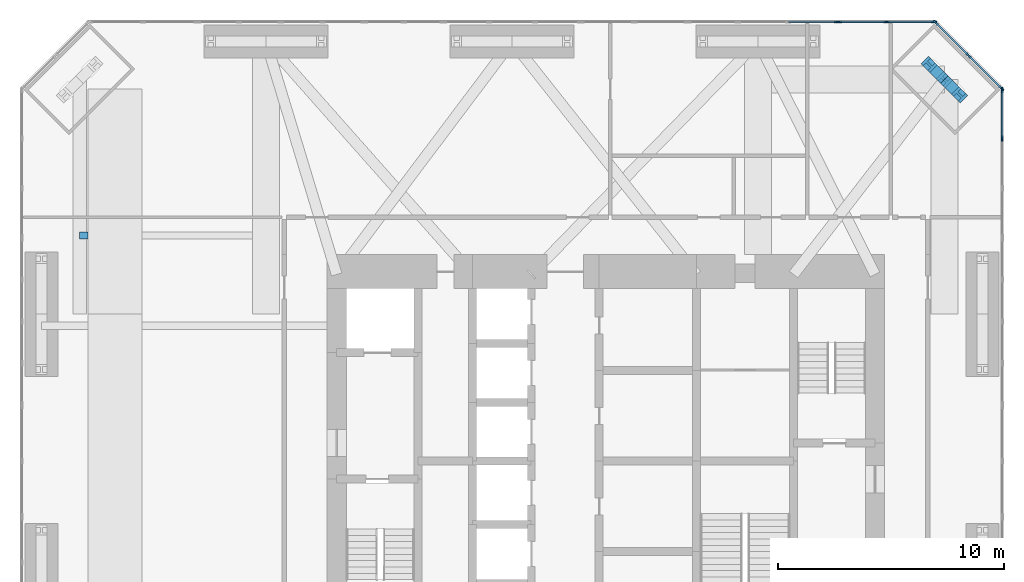
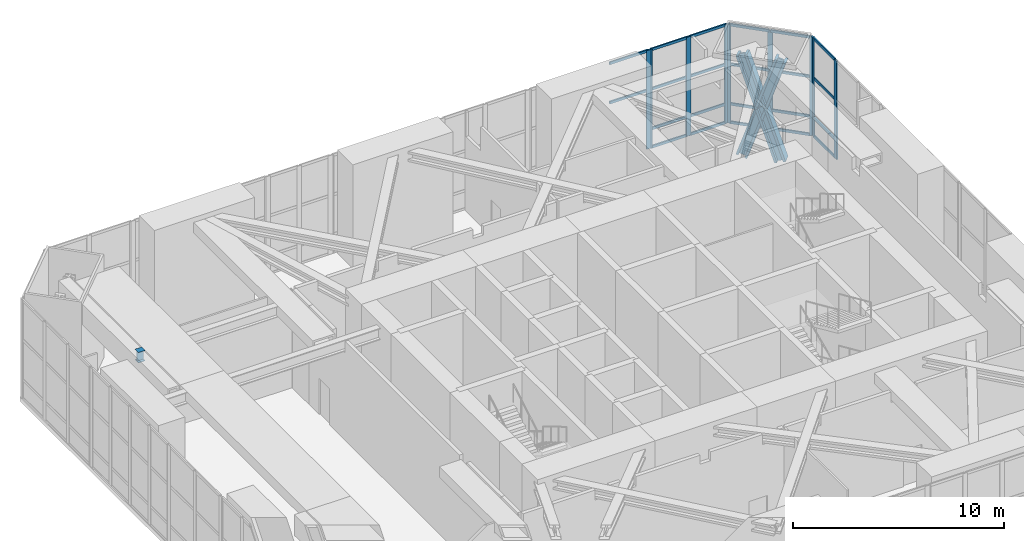
# One storey, part 9 of 18: 35 members, 1 beam, 4 elements without a shape of their own.
"""IFC4 building model written with IfcOpenShell, lengths in metres."""

from ifc_helpers import new_model, si_unit, direction, frame, origin, origin_2d, place, context, subcontext, project, spatial, rectangle, i_section, extrude, material, material_profile, profile_set, type_object, element, aggregate, save


model = new_model("IFC4")

# Units and contexts
model_context = context("Model", 3, precision=1e-05, world=origin(), true_north=direction((0.0, 1.0)))
body_context = subcontext(model_context, "Body", "Model", "MODEL_VIEW")
ifc_project = project(units=[si_unit("LENGTHUNIT", "METRE"), si_unit("AREAUNIT", "SQUARE_METRE"), si_unit("VOLUMEUNIT", "CUBIC_METRE"), si_unit("PLANEANGLEUNIT", "RADIAN"), si_unit("MASSUNIT", "GRAM", prefix="KILO")], contexts=[model_context])

# Site, building, storey
site_placement = place(None, origin())
site = spatial("IfcSite", under=ifc_project, at=site_placement, CompositionType="ELEMENT")
building_placement = place(site_placement, origin())
building = spatial("IfcBuilding", under=site, at=building_placement, Name="Jalousie Tower", CompositionType="ELEMENT")
storey_placement = place(building_placement, frame((0.0, 0.0, 138.35009765625)))
storey = spatial("IfcBuildingStorey", under=building, at=storey_placement, Name="L38", CompositionType="ELEMENT", Elevation=138.35009765625)

# Members
ifc_material_1 = material(Name="Steel ASTM A992 Grade 50", Category="steel")
ifc_material_profile_1 = material_profile(ifc_material_1, i_section(OverallWidth=0.472412109375, OverallDepth=0.5791015625, WebThickness=0.094970703125, FlangeThickness=0.1298828125, at=origin_2d()), Name="W14X808")
ifc_profile_set_1 = profile_set([ifc_material_profile_1], Name="Steel ASTM A992 Grade 50")
member_type_1 = type_object("IfcMemberType", Name="PERIMETER BRACE W14X808", PredefinedType="BRACE", material=ifc_profile_set_1)
for number, where, z_axis, x_axis, name in (
    (1, (47.540283203125, 34.697021484375, -0.60009765625), (-0.218388113995, 0.218388113995, 0.951111593522), (-0.707106781187, -0.707106781187, 0.0), "Perimeter brace 08 L38 part 1"),
    (2, (46.86865234375, 35.36865234375, 2.324951171875), (-0.218388113995, 0.218388113995, 0.951111593522), (-0.707106781187, -0.707106781187, 0.0), "Perimeter brace 08 L38 part 2"),
    (3, (46.197021484375, 36.040283203125, -0.60009765625), (0.218388113995, -0.218388113995, 0.951111593522), (0.707106781187, 0.707106781187, 0.0), "Perimeter brace 08 L38 part 3"),
    (4, (46.86865234375, 35.36865234375, 2.324951171875), (0.218388113995, -0.218388113995, 0.951111593522), (0.707106781187, 0.707106781187, 0.0), "Perimeter brace 08 L38 part 4"),
):
    element("IfcMember", number, at=place(storey_placement, frame(where, z_axis=z_axis, x_axis=x_axis)), inside=storey, type_object=member_type_1, Name=name, PredefinedType="BRACE", context=body_context, shape_type="SweptSolid", body=[
        extrude(i_section(OverallWidth=0.472412109375, OverallDepth=0.5791015625, WebThickness=0.094970703125, FlangeThickness=0.1298828125, at=origin_2d()), origin(), (0.0, 0.0, 1.0), 3.075439453125),
    ])

# Beam
ifc_material_2 = material(Name="Steel ASTM A992 Grade 50", Category="steel")
ifc_material_profile_2 = material_profile(ifc_material_2, i_section(OverallWidth=0.3251953125, OverallDepth=0.612060546875, WebThickness=0.0126953125, FlangeThickness=0.01904296875, at=origin_2d()), Name="W24X104")
ifc_profile_set_2 = profile_set([ifc_material_profile_2], Name="Steel ASTM A992 Grade 50")
beam_type = type_object("IfcBeamType", Name="PLANT FLOOR BEAM W24X104", PredefinedType="BEAM", material=ifc_profile_set_2)
beam_placement = place(storey_placement, frame((8.63134765625, 28.47509765625, 5.413818359375), z_axis=(1.0, 0.0, 0.0), x_axis=(0.0, 1.0, 0.0)))
element("IfcBeam", 5, at=beam_placement, inside=storey, type_object=beam_type, Name="Plant floor beam under Electrical plant room L39", PredefinedType="BEAM", context=body_context, shape_type="SweptSolid", body=[
    extrude(i_section(OverallWidth=0.3251953125, OverallDepth=0.612060546875, WebThickness=0.0126953125, FlangeThickness=0.01904296875, at=origin_2d()), origin(), (0.0, 0.0, 1.0), 0.36865234375),
])

# Curtain wall, members
ifc_material_3 = material(Name="Aluminium curtain wall", Category="aluminium")
curtain_wall_type_1 = type_object("IfcCurtainWallType", Name="SKY LOUNGE SPANDREL WALL", PredefinedType="USERDEFINED", material=ifc_material_3)
curtain_wall_1_placement = place(storey_placement, origin())
curtain_wall_1 = element("IfcCurtainWall", 6, at=curtain_wall_1_placement, inside=storey, type_object=curtain_wall_type_1, Name="Sky Lounge Spandrel Wall L38 4", ObjectType="SKY LOUNGE SPANDREL WALL", PredefinedType="USERDEFINED")
ifc_material_4 = material(Name="Aluminium mullion", Category="aluminium")
ifc_material_profile_3 = material_profile(ifc_material_4, rectangle(XDim=0.074951171875, YDim=0.25, at=origin_2d()), Name="MULLION 75x250")
ifc_profile_set_3 = profile_set([ifc_material_profile_3], Name="Aluminium mullion")
member_type_2 = type_object("IfcMemberType", Name="SKY LOUNGE SPANDREL WALL MULLION", PredefinedType="MULLION", material=ifc_profile_set_3)
member_1_placement = place(storey_placement, frame((49.385986328125, 34.97509765625, 0.0), z_axis=(0.0, 0.0, 1.0), x_axis=(-0.707106781187, -0.707106781187, 0.0)))
member_1 = element("IfcMember", 7, at=member_1_placement, type_object=member_type_2, Name="CW-KS mullion 1", PredefinedType="MULLION", context=body_context, shape_type="SweptSolid", body=[
    extrude(rectangle(XDim=0.074951171875, YDim=0.25, at=origin_2d()), origin(), (0.0, 0.0, 1.0), 5.719970703125),
])
member_2_placement = place(storey_placement, frame((47.9306640625, 36.4306640625, 0.0), z_axis=(0.0, 0.0, 1.0), x_axis=(-0.707106781187, -0.707106781187, 0.0)))
member_2 = element("IfcMember", 8, at=member_2_placement, type_object=member_type_2, Name="CW-KS mullion 2", PredefinedType="MULLION", context=body_context, shape_type="SweptSolid", body=[
    extrude(rectangle(XDim=0.074951171875, YDim=0.25, at=origin_2d()), origin(), (0.0, 0.0, 1.0), 5.719970703125),
])
member_3_placement = place(storey_placement, frame((46.47509765625, 37.885986328125, 0.0), z_axis=(0.0, 0.0, 1.0), x_axis=(-0.707106781187, -0.707106781187, 0.0)))
member_3 = element("IfcMember", 9, at=member_3_placement, type_object=member_type_2, Name="CW-KS mullion 3", PredefinedType="MULLION", context=body_context, shape_type="SweptSolid", body=[
    extrude(rectangle(XDim=0.074951171875, YDim=0.25, at=origin_2d()), origin(), (0.0, 0.0, 1.0), 5.719970703125),
])

# Curtain wall, member
curtain_wall_2_placement = place(storey_placement, origin())
curtain_wall_2 = element("IfcCurtainWall", 10, at=curtain_wall_2_placement, inside=storey, type_object=curtain_wall_type_1, Name="Sky Lounge Spandrel Wall L38 42", ObjectType="SKY LOUNGE SPANDREL WALL", PredefinedType="USERDEFINED")
member_4_placement = place(storey_placement, frame((42.12255859375, 37.91259765625, 0.0), z_axis=(0.0, 0.0, 1.0), x_axis=(0.0, -1.0, 0.0)))
member_4 = element("IfcMember", 11, at=member_4_placement, type_object=member_type_2, Name="CW-KS mullion 1", PredefinedType="MULLION", context=body_context, shape_type="SweptSolid", body=[
    extrude(rectangle(XDim=0.074951171875, YDim=0.25, at=origin_2d()), origin(), (0.0, 0.0, 1.0), 5.719970703125),
])

# Member
ifc_material_5 = material(Name="Aluminium transom", Category="aluminium")
ifc_material_profile_4 = material_profile(ifc_material_5, rectangle(XDim=0.074951171875, YDim=0.14990234375, at=origin_2d()), Name="TRANSOM 75x150")
ifc_profile_set_4 = profile_set([ifc_material_profile_4], Name="Aluminium transom")
member_type_3 = type_object("IfcMemberType", Name="SKY LOUNGE SPANDREL WALL TRANSOM", PredefinedType="USERDEFINED", material=ifc_profile_set_4)
member_5_placement = place(storey_placement, frame((49.359375, 35.001708984375, 0.037353515625), z_axis=(-0.707106781187, 0.707106781187, 0.0), x_axis=(-0.707106781187, -0.707106781187, 0.0)))
member_5 = element("IfcMember", 12, at=member_5_placement, type_object=member_type_3, Name="CW-KS transom 1.1", ObjectType="TRANSOM", PredefinedType="USERDEFINED", context=body_context, shape_type="SweptSolid", body=[
    extrude(rectangle(XDim=0.074951171875, YDim=0.14990234375, at=origin_2d()), origin(), (0.0, 0.0, 1.0), 1.983154296875),
])

member_6_placement = place(storey_placement, frame((49.359375, 35.001708984375, 1.099853515625), z_axis=(-0.707106781187, 0.707106781187, 0.0), x_axis=(-0.707106781187, -0.707106781187, 0.0)))
member_6 = element("IfcMember", 13, at=member_6_placement, type_object=member_type_3, Name="CW-KS transom 1.2", ObjectType="TRANSOM", PredefinedType="USERDEFINED", context=body_context, shape_type="SweptSolid", body=[
    extrude(rectangle(XDim=0.074951171875, YDim=0.14990234375, at=origin_2d()), origin(), (0.0, 0.0, 1.0), 1.983154296875),
])

member_7_placement = place(storey_placement, frame((49.359375, 35.001708984375, 3.39990234375), z_axis=(-0.707106781187, 0.707106781187, 0.0), x_axis=(-0.707106781187, -0.707106781187, 0.0)))
member_7 = element("IfcMember", 14, at=member_7_placement, type_object=member_type_3, Name="CW-KS transom 1.3", ObjectType="TRANSOM", PredefinedType="USERDEFINED", context=body_context, shape_type="SweptSolid", body=[
    extrude(rectangle(XDim=0.074951171875, YDim=0.14990234375, at=origin_2d()), origin(), (0.0, 0.0, 1.0), 1.983154296875),
])

member_8_placement = place(storey_placement, frame((49.359375, 35.001708984375, 5.682373046875), z_axis=(-0.707106781187, 0.707106781187, 0.0), x_axis=(-0.707106781187, -0.707106781187, 0.0)))
member_8 = element("IfcMember", 15, at=member_8_placement, type_object=member_type_3, Name="CW-KS transom 1.4", ObjectType="TRANSOM", PredefinedType="USERDEFINED", context=body_context, shape_type="SweptSolid", body=[
    extrude(rectangle(XDim=0.074951171875, YDim=0.14990234375, at=origin_2d()), origin(), (0.0, 0.0, 1.0), 1.983154296875),
])

member_9_placement = place(storey_placement, frame((47.904052734375, 36.45703125, 0.037353515625), z_axis=(-0.707106781187, 0.707106781187, 0.0), x_axis=(-0.707106781187, -0.707106781187, 0.0)))
member_9 = element("IfcMember", 16, at=member_9_placement, type_object=member_type_3, Name="CW-KS transom 2.1", ObjectType="TRANSOM", PredefinedType="USERDEFINED", context=body_context, shape_type="SweptSolid", body=[
    extrude(rectangle(XDim=0.074951171875, YDim=0.14990234375, at=origin_2d()), origin(), (0.0, 0.0, 1.0), 1.983154296875),
])

member_10_placement = place(storey_placement, frame((47.904052734375, 36.45703125, 1.099853515625), z_axis=(-0.707106781187, 0.707106781187, 0.0), x_axis=(-0.707106781187, -0.707106781187, 0.0)))
member_10 = element("IfcMember", 17, at=member_10_placement, type_object=member_type_3, Name="CW-KS transom 2.2", ObjectType="TRANSOM", PredefinedType="USERDEFINED", context=body_context, shape_type="SweptSolid", body=[
    extrude(rectangle(XDim=0.074951171875, YDim=0.14990234375, at=origin_2d()), origin(), (0.0, 0.0, 1.0), 1.983154296875),
])

member_11_placement = place(storey_placement, frame((47.904052734375, 36.45703125, 3.39990234375), z_axis=(-0.707106781187, 0.707106781187, 0.0), x_axis=(-0.707106781187, -0.707106781187, 0.0)))
member_11 = element("IfcMember", 18, at=member_11_placement, type_object=member_type_3, Name="CW-KS transom 2.3", ObjectType="TRANSOM", PredefinedType="USERDEFINED", context=body_context, shape_type="SweptSolid", body=[
    extrude(rectangle(XDim=0.074951171875, YDim=0.14990234375, at=origin_2d()), origin(), (0.0, 0.0, 1.0), 1.983154296875),
])

member_12_placement = place(storey_placement, frame((47.904052734375, 36.45703125, 5.682373046875), z_axis=(-0.707106781187, 0.707106781187, 0.0), x_axis=(-0.707106781187, -0.707106781187, 0.0)))
member_12 = element("IfcMember", 19, at=member_12_placement, type_object=member_type_3, Name="CW-KS transom 2.4", ObjectType="TRANSOM", PredefinedType="USERDEFINED", context=body_context, shape_type="SweptSolid", body=[
    extrude(rectangle(XDim=0.074951171875, YDim=0.14990234375, at=origin_2d()), origin(), (0.0, 0.0, 1.0), 1.983154296875),
])

aggregate(curtain_wall_1, [member_1, member_2, member_3, member_5, member_6, member_7, member_8, member_9, member_10, member_11, member_12])

member_13_placement = place(storey_placement, frame((42.085205078125, 37.91259765625, 3.39990234375), z_axis=(-1.0, 0.0, 0.0), x_axis=(0.0, -1.0, 0.0)))
member_13 = element("IfcMember", 20, at=member_13_placement, type_object=member_type_3, Name="CW-KS transom 1.3", ObjectType="TRANSOM", PredefinedType="USERDEFINED", context=body_context, shape_type="SweptSolid", body=[
    extrude(rectangle(XDim=0.074951171875, YDim=0.14990234375, at=origin_2d()), origin(), (0.0, 0.0, 1.0), 2.1025390625),
])

member_14_placement = place(storey_placement, frame((42.085205078125, 37.91259765625, 5.682373046875), z_axis=(-1.0, 0.0, 0.0), x_axis=(0.0, -1.0, 0.0)))
member_14 = element("IfcMember", 21, at=member_14_placement, type_object=member_type_3, Name="CW-KS transom 1.4", ObjectType="TRANSOM", PredefinedType="USERDEFINED", context=body_context, shape_type="SweptSolid", body=[
    extrude(rectangle(XDim=0.074951171875, YDim=0.14990234375, at=origin_2d()), origin(), (0.0, 0.0, 1.0), 2.1025390625),
])

aggregate(curtain_wall_2, [member_4, member_13, member_14])

# Curtain wall, members
ifc_material_6 = material(Name="Aluminium curtain wall", Category="aluminium")
curtain_wall_type_2 = type_object("IfcCurtainWallType", Name="SKY LOUNGE WINDOW WALL", PredefinedType="USERDEFINED", material=ifc_material_6)
curtain_wall_3_placement = place(storey_placement, origin())
curtain_wall_3 = element("IfcCurtainWall", 22, at=curtain_wall_3_placement, inside=storey, type_object=curtain_wall_type_2, Name="Sky Lounge Window Wall L38 26", ObjectType="SKY LOUNGE WINDOW WALL", PredefinedType="USERDEFINED")
ifc_material_7 = material(Name="Aluminium mullion", Category="aluminium")
ifc_material_profile_5 = material_profile(ifc_material_7, rectangle(XDim=0.074951171875, YDim=0.25, at=origin_2d()), Name="MULLION 75x250")
ifc_profile_set_5 = profile_set([ifc_material_profile_5], Name="Aluminium mullion")
member_type_4 = type_object("IfcMemberType", Name="SKY LOUNGE WINDOW WALL MULLION", PredefinedType="MULLION", material=ifc_profile_set_5)
member_15_placement = place(storey_placement, frame((49.41259765625, 32.756591796875, 0.0), z_axis=(0.0, 0.0, 1.0), x_axis=(-1.0, 0.0, 0.0)))
member_15 = element("IfcMember", 23, at=member_15_placement, type_object=member_type_4, Name="CW-K mullion 3", PredefinedType="MULLION", context=body_context, shape_type="SweptSolid", body=[
    extrude(rectangle(XDim=0.074951171875, YDim=0.25, at=origin_2d()), origin(), (0.0, 0.0, 1.0), 5.719970703125),
])
member_16_placement = place(storey_placement, frame((49.41259765625, 34.9111328125, 0.0), z_axis=(0.0, 0.0, 1.0), x_axis=(-1.0, 0.0, 0.0)))
member_16 = element("IfcMember", 24, at=member_16_placement, type_object=member_type_4, Name="CW-K mullion 4", PredefinedType="MULLION", context=body_context, shape_type="SweptSolid", body=[
    extrude(rectangle(XDim=0.074951171875, YDim=0.25, at=origin_2d()), origin(), (0.0, 0.0, 1.0), 5.719970703125),
])

curtain_wall_4_placement = place(storey_placement, origin())
curtain_wall_4 = element("IfcCurtainWall", 25, at=curtain_wall_4_placement, inside=storey, type_object=curtain_wall_type_2, Name="Sky Lounge Window Wall L38 41", ObjectType="SKY LOUNGE WINDOW WALL", PredefinedType="USERDEFINED")
member_17_placement = place(storey_placement, frame((46.4111328125, 37.91259765625, 0.0), z_axis=(0.0, 0.0, 1.0), x_axis=(0.0, -1.0, 0.0)))
member_17 = element("IfcMember", 26, at=member_17_placement, type_object=member_type_4, Name="CW-K mullion 1", PredefinedType="MULLION", context=body_context, shape_type="SweptSolid", body=[
    extrude(rectangle(XDim=0.074951171875, YDim=0.25, at=origin_2d()), origin(), (0.0, 0.0, 1.0), 5.719970703125),
])
member_18_placement = place(storey_placement, frame((44.304443359375, 37.91259765625, 0.0), z_axis=(0.0, 0.0, 1.0), x_axis=(0.0, -1.0, 0.0)))
member_18 = element("IfcMember", 27, at=member_18_placement, type_object=member_type_4, Name="CW-K mullion 2", PredefinedType="MULLION", context=body_context, shape_type="SweptSolid", body=[
    extrude(rectangle(XDim=0.074951171875, YDim=0.25, at=origin_2d()), origin(), (0.0, 0.0, 1.0), 5.719970703125),
])
member_19_placement = place(storey_placement, frame((42.197509765625, 37.91259765625, 0.0), z_axis=(0.0, 0.0, 1.0), x_axis=(0.0, -1.0, 0.0)))
member_19 = element("IfcMember", 28, at=member_19_placement, type_object=member_type_4, Name="CW-K mullion 3", PredefinedType="MULLION", context=body_context, shape_type="SweptSolid", body=[
    extrude(rectangle(XDim=0.074951171875, YDim=0.25, at=origin_2d()), origin(), (0.0, 0.0, 1.0), 5.719970703125),
])

# Member
ifc_material_8 = material(Name="Aluminium transom", Category="aluminium")
ifc_material_profile_6 = material_profile(ifc_material_8, rectangle(XDim=0.074951171875, YDim=0.14990234375, at=origin_2d()), Name="TRANSOM 75x150")
ifc_profile_set_6 = profile_set([ifc_material_profile_6], Name="Aluminium transom")
member_type_5 = type_object("IfcMemberType", Name="SKY LOUNGE WINDOW WALL TRANSOM", PredefinedType="USERDEFINED", material=ifc_profile_set_6)
member_20_placement = place(storey_placement, frame((49.41259765625, 32.794189453125, 0.037353515625), z_axis=(0.0, 1.0, 0.0), x_axis=(-1.0, 0.0, 0.0)))
member_20 = element("IfcMember", 29, at=member_20_placement, type_object=member_type_5, Name="CW-K transom 3.1", ObjectType="TRANSOM", PredefinedType="USERDEFINED", context=body_context, shape_type="SweptSolid", body=[
    extrude(rectangle(XDim=0.074951171875, YDim=0.14990234375, at=origin_2d()), origin(), (0.0, 0.0, 1.0), 2.07958984375),
])

member_21_placement = place(storey_placement, frame((49.41259765625, 32.794189453125, 1.099853515625), z_axis=(0.0, 1.0, 0.0), x_axis=(-1.0, 0.0, 0.0)))
member_21 = element("IfcMember", 30, at=member_21_placement, type_object=member_type_5, Name="CW-K transom 3.2", ObjectType="TRANSOM", PredefinedType="USERDEFINED", context=body_context, shape_type="SweptSolid", body=[
    extrude(rectangle(XDim=0.074951171875, YDim=0.14990234375, at=origin_2d()), origin(), (0.0, 0.0, 1.0), 2.07958984375),
])

member_22_placement = place(storey_placement, frame((49.41259765625, 32.794189453125, 3.39990234375), z_axis=(0.0, 1.0, 0.0), x_axis=(-1.0, 0.0, 0.0)))
member_22 = element("IfcMember", 31, at=member_22_placement, type_object=member_type_5, Name="CW-K transom 3.3", ObjectType="TRANSOM", PredefinedType="USERDEFINED", context=body_context, shape_type="SweptSolid", body=[
    extrude(rectangle(XDim=0.074951171875, YDim=0.14990234375, at=origin_2d()), origin(), (0.0, 0.0, 1.0), 2.07958984375),
])

member_23_placement = place(storey_placement, frame((49.41259765625, 32.794189453125, 5.682373046875), z_axis=(0.0, 1.0, 0.0), x_axis=(-1.0, 0.0, 0.0)))
member_23 = element("IfcMember", 32, at=member_23_placement, type_object=member_type_5, Name="CW-K transom 3.4", ObjectType="TRANSOM", PredefinedType="USERDEFINED", context=body_context, shape_type="SweptSolid", body=[
    extrude(rectangle(XDim=0.074951171875, YDim=0.14990234375, at=origin_2d()), origin(), (0.0, 0.0, 1.0), 2.07958984375),
])

aggregate(curtain_wall_3, [member_15, member_16, member_20, member_21, member_22, member_23])

member_24_placement = place(storey_placement, frame((46.373779296875, 37.91259765625, 0.037353515625), z_axis=(-1.0, 0.0, 0.0), x_axis=(0.0, -1.0, 0.0)))
member_24 = element("IfcMember", 33, at=member_24_placement, type_object=member_type_5, Name="CW-K transom 1.1", ObjectType="TRANSOM", PredefinedType="USERDEFINED", context=body_context, shape_type="SweptSolid", body=[
    extrude(rectangle(XDim=0.074951171875, YDim=0.14990234375, at=origin_2d()), origin(), (0.0, 0.0, 1.0), 2.031982421875),
])

member_25_placement = place(storey_placement, frame((46.373779296875, 37.91259765625, 1.099853515625), z_axis=(-1.0, 0.0, 0.0), x_axis=(0.0, -1.0, 0.0)))
member_25 = element("IfcMember", 34, at=member_25_placement, type_object=member_type_5, Name="CW-K transom 1.2", ObjectType="TRANSOM", PredefinedType="USERDEFINED", context=body_context, shape_type="SweptSolid", body=[
    extrude(rectangle(XDim=0.074951171875, YDim=0.14990234375, at=origin_2d()), origin(), (0.0, 0.0, 1.0), 2.031982421875),
])

member_26_placement = place(storey_placement, frame((46.373779296875, 37.91259765625, 3.39990234375), z_axis=(-1.0, 0.0, 0.0), x_axis=(0.0, -1.0, 0.0)))
member_26 = element("IfcMember", 35, at=member_26_placement, type_object=member_type_5, Name="CW-K transom 1.3", ObjectType="TRANSOM", PredefinedType="USERDEFINED", context=body_context, shape_type="SweptSolid", body=[
    extrude(rectangle(XDim=0.074951171875, YDim=0.14990234375, at=origin_2d()), origin(), (0.0, 0.0, 1.0), 2.031982421875),
])

member_27_placement = place(storey_placement, frame((46.373779296875, 37.91259765625, 5.682373046875), z_axis=(-1.0, 0.0, 0.0), x_axis=(0.0, -1.0, 0.0)))
member_27 = element("IfcMember", 36, at=member_27_placement, type_object=member_type_5, Name="CW-K transom 1.4", ObjectType="TRANSOM", PredefinedType="USERDEFINED", context=body_context, shape_type="SweptSolid", body=[
    extrude(rectangle(XDim=0.074951171875, YDim=0.14990234375, at=origin_2d()), origin(), (0.0, 0.0, 1.0), 2.031982421875),
])

member_28_placement = place(storey_placement, frame((44.266845703125, 37.91259765625, 0.037353515625), z_axis=(-1.0, 0.0, 0.0), x_axis=(0.0, -1.0, 0.0)))
member_28 = element("IfcMember", 37, at=member_28_placement, type_object=member_type_5, Name="CW-K transom 2.1", ObjectType="TRANSOM", PredefinedType="USERDEFINED", context=body_context, shape_type="SweptSolid", body=[
    extrude(rectangle(XDim=0.074951171875, YDim=0.14990234375, at=origin_2d()), origin(), (0.0, 0.0, 1.0), 2.03173828125),
])

member_29_placement = place(storey_placement, frame((44.266845703125, 37.91259765625, 1.099853515625), z_axis=(-1.0, 0.0, 0.0), x_axis=(0.0, -1.0, 0.0)))
member_29 = element("IfcMember", 38, at=member_29_placement, type_object=member_type_5, Name="CW-K transom 2.2", ObjectType="TRANSOM", PredefinedType="USERDEFINED", context=body_context, shape_type="SweptSolid", body=[
    extrude(rectangle(XDim=0.074951171875, YDim=0.14990234375, at=origin_2d()), origin(), (0.0, 0.0, 1.0), 2.03173828125),
])

member_30_placement = place(storey_placement, frame((44.266845703125, 37.91259765625, 3.39990234375), z_axis=(-1.0, 0.0, 0.0), x_axis=(0.0, -1.0, 0.0)))
member_30 = element("IfcMember", 39, at=member_30_placement, type_object=member_type_5, Name="CW-K transom 2.3", ObjectType="TRANSOM", PredefinedType="USERDEFINED", context=body_context, shape_type="SweptSolid", body=[
    extrude(rectangle(XDim=0.074951171875, YDim=0.14990234375, at=origin_2d()), origin(), (0.0, 0.0, 1.0), 2.03173828125),
])

member_31_placement = place(storey_placement, frame((44.266845703125, 37.91259765625, 5.682373046875), z_axis=(-1.0, 0.0, 0.0), x_axis=(0.0, -1.0, 0.0)))
member_31 = element("IfcMember", 40, at=member_31_placement, type_object=member_type_5, Name="CW-K transom 2.4", ObjectType="TRANSOM", PredefinedType="USERDEFINED", context=body_context, shape_type="SweptSolid", body=[
    extrude(rectangle(XDim=0.074951171875, YDim=0.14990234375, at=origin_2d()), origin(), (0.0, 0.0, 1.0), 2.03173828125),
])

aggregate(curtain_wall_4, [member_17, member_18, member_19, member_24, member_25, member_26, member_27, member_28, member_29, member_30, member_31])

save(model, "model.ifc")
